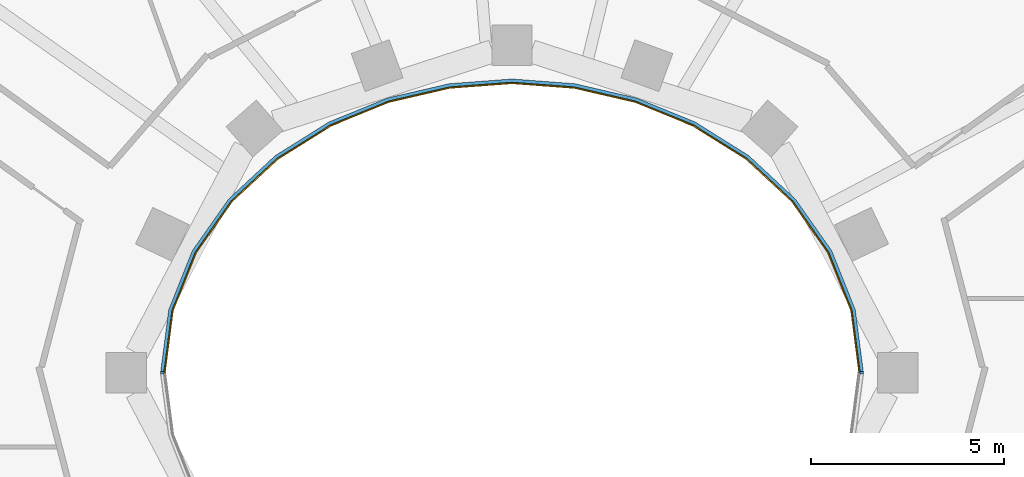
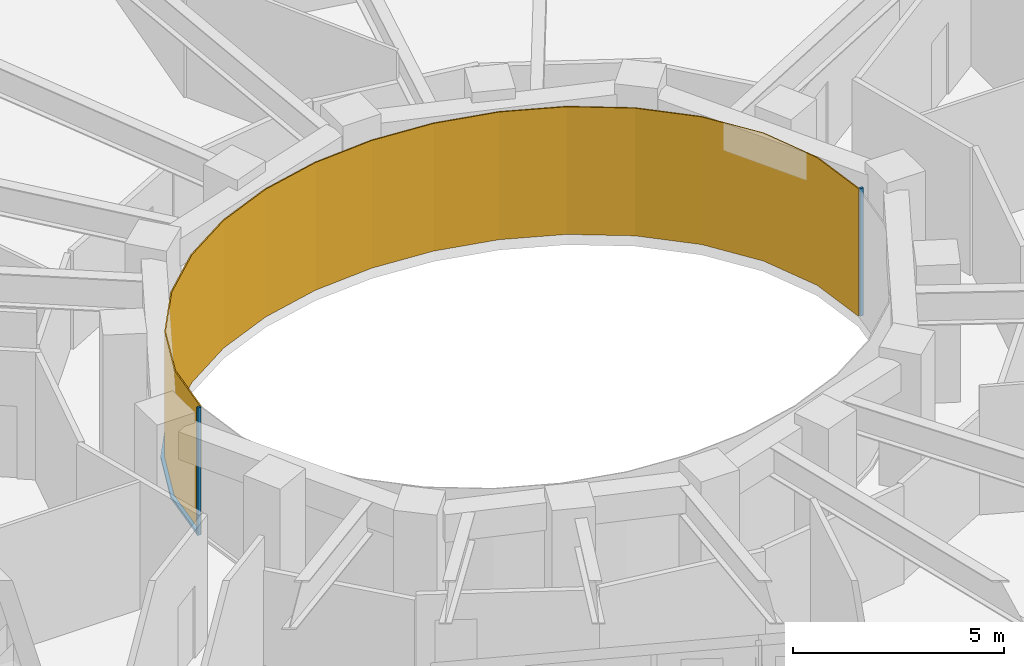
# One storey, part 12 of 16: 3 members, 1 curtain wall.
"""IFC4 building model written with IfcOpenShell, lengths in metres."""

from ifc_helpers import new_model, si_unit, direction, frame, origin, origin_2d, place, context, subcontext, project, spatial, polyline, rectangle, outline, extrude, material, layer, layer_set, material_profile, profile_set, type_object, element, aggregate, save


model = new_model("IFC4")

# Units and contexts
model_context = context("Model", 3, precision=1e-05, world=origin(), true_north=direction((0.0, 1.0)))
body_context = subcontext(model_context, "Body", "Model", "MODEL_VIEW")
ifc_project = project(units=[si_unit("LENGTHUNIT", "METRE"), si_unit("AREAUNIT", "SQUARE_METRE"), si_unit("VOLUMEUNIT", "CUBIC_METRE"), si_unit("PLANEANGLEUNIT", "RADIAN"), si_unit("MASSUNIT", "GRAM", prefix="KILO")], contexts=[model_context])

# Member
ifc_material_1 = material(Name="Steel S355 fire-resisting frame", Category="steel")
ifc_material_profile = material_profile(ifc_material_1, rectangle(XDim=0.090087890625, YDim=0.06005859375, at=origin_2d()), Name="90x60")
ifc_profile_set = profile_set([ifc_material_profile], Name="Steel S355 fire-resisting frame")
member_type_1 = type_object("IfcMemberType", Name="ENV-MULLION-W-90", PredefinedType="MULLION", material=ifc_profile_set)
site_placement = place(None, origin())
building_placement = place(site_placement, origin())
storey_placement = place(building_placement, frame((0.0, 0.0, 174.0)))
member_1_placement = place(storey_placement, frame((9.076904296875, 0.0, 0.0), z_axis=(0.0, 0.0, 1.0), x_axis=(1.0, 0.0, 0.0)))
member_1 = element("IfcMember", 1, at=member_1_placement, type_object=member_type_1, Name="Mullion W well vertex 01", PredefinedType="MULLION", context=body_context, shape_type="SweptSolid", body=[
    extrude(rectangle(XDim=0.090087890625, YDim=0.06005859375, at=origin_2d()), origin(), (0.0, 0.0, 1.0), 3.699951171875),
])

member_2_placement = place(storey_placement, frame((-9.076904296875, 0.0, 0.0), z_axis=(0.0, 0.0, 1.0), x_axis=(-1.0, 0.0, 0.0)))
member_2 = element("IfcMember", 2, at=member_2_placement, type_object=member_type_1, Name="Mullion W well vertex 17", PredefinedType="MULLION", context=body_context, shape_type="SweptSolid", body=[
    extrude(rectangle(XDim=0.090087890625, YDim=0.06005859375, at=origin_2d()), origin(), (0.0, 0.0, 1.0), 3.699951171875),
])

ifc_material_2 = material(Name="Steel S355 fire-resisting frame", Category="steel")
member_type_2 = type_object("IfcMemberType", Name="ENV-TRANSOM-W", PredefinedType="USERDEFINED", material=ifc_material_2)
member_3_placement = place(storey_placement, origin())
member_3 = element("IfcMember", 3, at=member_3_placement, type_object=member_type_2, Name="Transom W well 01-17", ObjectType="TRANSOM", PredefinedType="USERDEFINED", context=body_context, shape_type="SweptSolid", body=[
    extrude(outline(polyline([(9.119384765625, 0.02783203125), (8.910400390625, 1.63623046875), (8.29833984375, 3.167236328125), (7.35107421875, 4.5146484375), (6.1455078125, 5.6337890625), (4.75341796875, 6.50634765625), (3.233642578125, 7.127685546875), (1.635498046875, 7.498779296875), (0.0, 7.622314453125), (-1.635498046875, 7.498779296875), (-3.233642578125, 7.127685546875), (-4.75341796875, 6.50634765625), (-6.1455078125, 5.6337890625), (-7.35107421875, 4.5146484375), (-8.29833984375, 3.167236328125), (-8.910400390625, 1.63623046875), (-9.119384765625, 0.02783203125), (-9.02880859375, 0.02783203125), (-8.822509765625, 1.61328125), (-8.21875, 3.124267578125), (-7.282958984375, 4.455078125), (-6.090576171875, 5.56201171875), (-4.712158203125, 6.426025390625), (-3.206298828125, 7.04150390625), (-1.621826171875, 7.40966796875), (0.0, 7.531982421875), (1.621826171875, 7.40966796875), (3.206298828125, 7.04150390625), (4.712158203125, 6.426025390625), (6.090576171875, 5.56201171875), (7.282958984375, 4.455078125), (8.21875, 3.124267578125), (8.822509765625, 1.61328125), (9.02880859375, 0.02783203125), (9.119384765625, 0.02783203125)])), origin(), (0.0, 0.0, 1.0), 0.080078125),
])

# Site, building, storey
site = spatial("IfcSite", under=ifc_project, at=site_placement, CompositionType="ELEMENT")
building = spatial("IfcBuilding", under=site, at=building_placement, Name="Noorbagh Ring Tower", CompositionType="ELEMENT")
storey = spatial("IfcBuildingStorey", under=building, at=storey_placement, Name="L40", CompositionType="ELEMENT", Elevation=174.0)

# Curtain wall
ifc_material_3 = material(Name="Glass fire-resisting E60 laminated", Category="glass")
ifc_layer = layer(ifc_material_3, 0.031982421875)
ifc_layer_set = layer_set([ifc_layer], Name="Glass fire-resisting E60 laminated")
curtain_wall_type = type_object("IfcCurtainWallType", Name="ENV-CW-W", PredefinedType="NOTDEFINED", material=ifc_layer_set)
curtain_wall_placement = place(storey_placement, origin())
curtain_wall = element("IfcCurtainWall", 4, at=curtain_wall_placement, inside=storey, type_object=curtain_wall_type, Name="Curtain wall W W01", PredefinedType="NOTDEFINED", context=body_context, shape_type="SweptSolid", body=[
    extrude(outline(polyline([(9.0322265625, 0.0), (8.822509765625, 1.61328125), (8.21875, 3.124267578125), (7.282958984375, 4.455078125), (6.090576171875, 5.56201171875), (4.712158203125, 6.426025390625), (3.206298828125, 7.04150390625), (1.621826171875, 7.40966796875), (0.0, 7.531982421875), (-1.621826171875, 7.40966796875), (-3.206298828125, 7.04150390625), (-4.712158203125, 6.426025390625), (-6.090576171875, 5.56201171875), (-7.282958984375, 4.455078125), (-8.21875, 3.124267578125), (-8.822509765625, 1.61328125), (-9.0322265625, 0.0), (-9.0, 0.0), (-8.79150390625, 1.605224609375), (-8.1904296875, 3.10888671875), (-7.2587890625, 4.43408203125), (-6.071044921875, 5.53662109375), (-4.697509765625, 6.3974609375), (-3.196533203125, 7.010986328125), (-1.6171875, 7.3779296875), (0.0, 7.5), (1.6171875, 7.3779296875), (3.196533203125, 7.010986328125), (4.697509765625, 6.3974609375), (6.071044921875, 5.53662109375), (7.2587890625, 4.43408203125), (8.1904296875, 3.10888671875), (8.79150390625, 1.605224609375), (9.0, 0.0), (9.0322265625, 0.0)])), origin(), (0.0, 0.0, 1.0), 3.699951171875),
])

aggregate(curtain_wall, [member_1, member_2, member_3])

save(model, "model.ifc")
